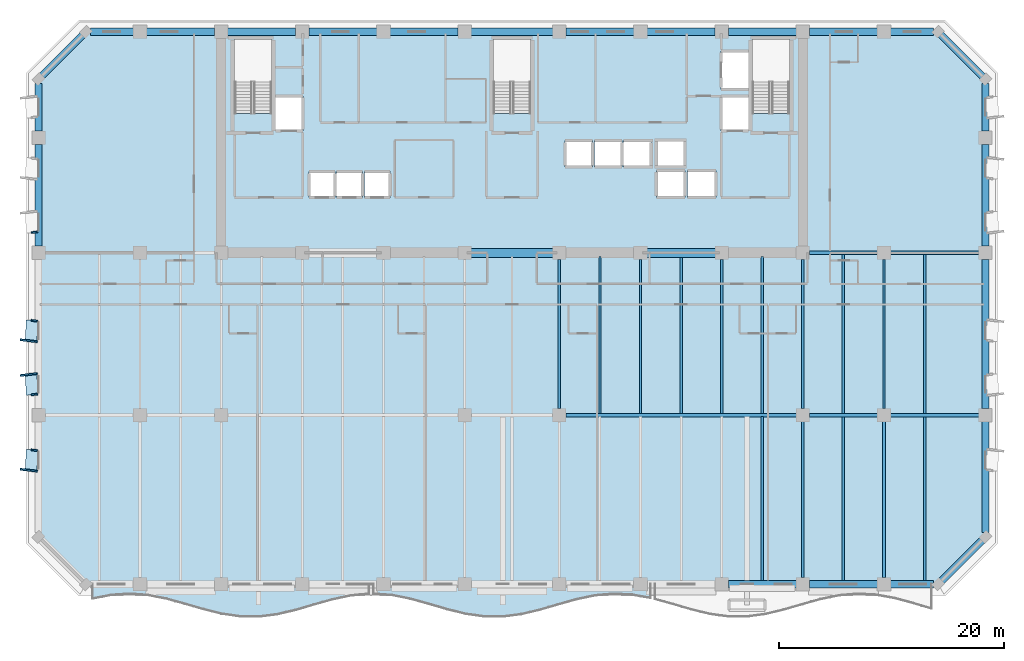
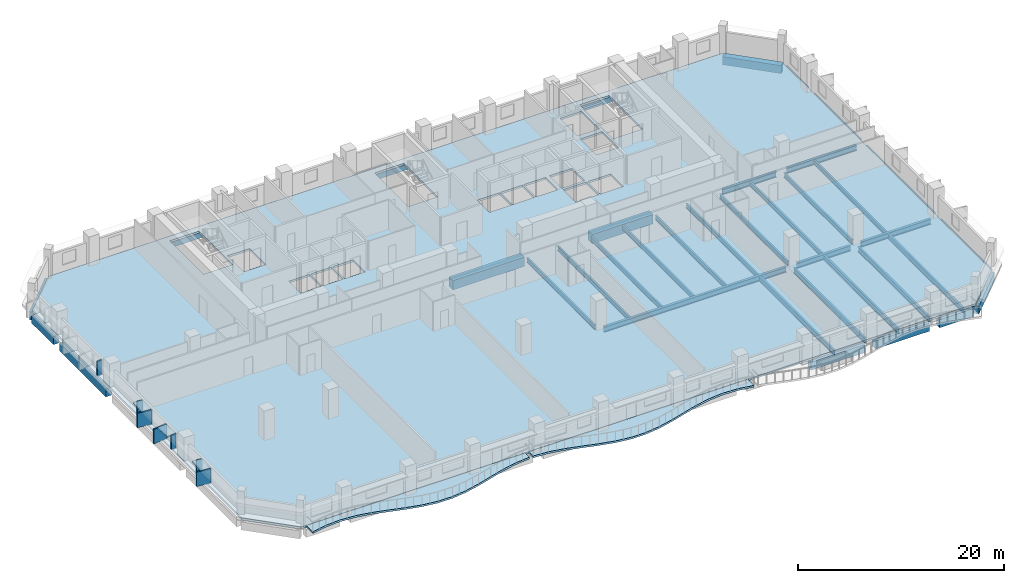
# One storey, part 2 of 14: 45 beams, 10 plates, 3 slabs.
"""IFC4 building model written with IfcOpenShell, lengths in metres."""

from ifc_helpers import new_model, si_unit, direction, frame, origin, origin_2d, place, context, subcontext, project, spatial, polyline, rectangle, i_section, outline, extrude, material, layer, layer_set, material_profile, profile_set, type_object, element, save


model = new_model("IFC4")

# Units and contexts
model_context = context("Model", 3, precision=1e-05, world=origin(), true_north=direction((0.0, 1.0)))
body_context = subcontext(model_context, "Body", "Model", "MODEL_VIEW")
ifc_project = project(units=[si_unit("LENGTHUNIT", "METRE"), si_unit("AREAUNIT", "SQUARE_METRE"), si_unit("VOLUMEUNIT", "CUBIC_METRE"), si_unit("PLANEANGLEUNIT", "RADIAN"), si_unit("MASSUNIT", "GRAM", prefix="KILO")], contexts=[model_context])

# Site, building, storey
site_placement = place(None, origin())
site = spatial("IfcSite", under=ifc_project, at=site_placement, CompositionType="ELEMENT")
building_placement = place(site_placement, origin())
building = spatial("IfcBuilding", under=site, at=building_placement, Name="Kaelvorn Grand Hotel", CompositionType="ELEMENT")
storey_placement = place(building_placement, frame((0.0, 0.0, 126.800048828125)))
storey = spatial("IfcBuildingStorey", under=building, at=storey_placement, Name="L30", CompositionType="ELEMENT", Elevation=126.800048828125)

# Beams
ifc_material_1 = material(Name="Steel S355", Category="steel")
ifc_material_profile_1 = material_profile(ifc_material_1, i_section(OverallWidth=0.300048828125, OverallDepth=0.64990234375, WebThickness=0.01611328125, FlangeThickness=0.031005859375, FilletRadius=0.027099609375, at=origin_2d()), Name="HEB 650")
ifc_profile_set_1 = profile_set([ifc_material_profile_1], Name="Steel S355")
beam_type_1 = type_object("IfcBeamType", Name="BM-G-HEB650-S355", PredefinedType="BEAM", material=ifc_profile_set_1)
beam_1_placement = place(storey_placement, frame((46.784912109375, 15.0, -0.56494140625), z_axis=(1.0, 0.0, 0.0), x_axis=(0.0, 1.0, 0.0)))
element("IfcBeam", 1, at=beam_1_placement, inside=storey, type_object=beam_type_1, Name="L30 Primary Spine Steel Girder G-15 05", PredefinedType="BEAM", context=body_context, shape_type="SweptSolid", body=[
    extrude(i_section(OverallWidth=0.300048828125, OverallDepth=0.64990234375, WebThickness=0.01611328125, FlangeThickness=0.031005859375, FilletRadius=0.027099609375, at=origin_2d()), origin(), (0.0, 0.0, 1.0), 20.43017578125),
])
beam_2_placement = place(storey_placement, frame((68.385009765625, 15.0, -0.56494140625), z_axis=(1.0, 0.0, 0.0), x_axis=(0.0, 1.0, 0.0)))
element("IfcBeam", 2, at=beam_2_placement, inside=storey, type_object=beam_type_1, Name="L30 Primary Spine Steel Girder G-15 06", PredefinedType="BEAM", context=body_context, shape_type="SweptSolid", body=[
    extrude(i_section(OverallWidth=0.300048828125, OverallDepth=0.64990234375, WebThickness=0.01611328125, FlangeThickness=0.031005859375, FilletRadius=0.027099609375, at=origin_2d()), origin(), (0.0, 0.0, 1.0), 6.030029296875),
])
beam_3_placement = place(storey_placement, frame((75.5849609375, 15.0, -0.56494140625), z_axis=(1.0, 0.0, 0.0), x_axis=(0.0, 1.0, 0.0)))
element("IfcBeam", 3, at=beam_3_placement, inside=storey, type_object=beam_type_1, Name="L30 Primary Spine Steel Girder G-15 07", PredefinedType="BEAM", context=body_context, shape_type="SweptSolid", body=[
    extrude(i_section(OverallWidth=0.300048828125, OverallDepth=0.64990234375, WebThickness=0.01611328125, FlangeThickness=0.031005859375, FilletRadius=0.027099609375, at=origin_2d()), origin(), (0.0, 0.0, 1.0), 7.830078125),
])
beam_4_placement = place(storey_placement, frame((68.385009765625, 29.39990234375, -0.56494140625), z_axis=(1.0, 0.0, 0.0), x_axis=(0.0, 1.0, 0.0)))
element("IfcBeam", 4, at=beam_4_placement, inside=storey, type_object=beam_type_1, Name="L30 East Core Wing Steel Girder G-29E 01", PredefinedType="BEAM", context=body_context, shape_type="SweptSolid", body=[
    extrude(i_section(OverallWidth=0.300048828125, OverallDepth=0.64990234375, WebThickness=0.01611328125, FlangeThickness=0.031005859375, FilletRadius=0.027099609375, at=origin_2d()), origin(), (0.0, 0.0, 1.0), 6.030029296875),
])
beam_5_placement = place(storey_placement, frame((75.5849609375, 29.39990234375, -0.56494140625), z_axis=(1.0, 0.0, 0.0), x_axis=(0.0, 1.0, 0.0)))
element("IfcBeam", 5, at=beam_5_placement, inside=storey, type_object=beam_type_1, Name="L30 East Core Wing Steel Girder G-29E 02", PredefinedType="BEAM", context=body_context, shape_type="SweptSolid", body=[
    extrude(i_section(OverallWidth=0.300048828125, OverallDepth=0.64990234375, WebThickness=0.01611328125, FlangeThickness=0.031005859375, FilletRadius=0.027099609375, at=origin_2d()), origin(), (0.0, 0.0, 1.0), 7.830078125),
])
ifc_material_profile_2 = material_profile(ifc_material_1, i_section(OverallWidth=0.209228515625, OverallDepth=0.533203125, WebThickness=0.010009765625, FlangeThickness=0.015625, FilletRadius=0.0126953125, at=origin_2d()), Name="UB 533x210x92")
ifc_profile_set_2 = profile_set([ifc_material_profile_2], Name="Steel S355")
beam_type_2 = type_object("IfcBeamType", Name="BM-J-UB533-S355", PredefinedType="JOIST", material=ifc_profile_set_2)
beam_6_placement = place(storey_placement, frame((46.199951171875, 15.5849609375, -0.506591796875), z_axis=(0.0, 1.0, 0.0), x_axis=(-1.0, 0.0, 0.0)))
element("IfcBeam", 6, at=beam_6_placement, inside=storey, type_object=beam_type_2, Name="L30 Composite Floor Joist JM-13", PredefinedType="JOIST", context=body_context, shape_type="SweptSolid", body=[
    extrude(i_section(OverallWidth=0.209228515625, OverallDepth=0.533203125, WebThickness=0.010009765625, FlangeThickness=0.015625, FilletRadius=0.0126953125, at=origin_2d()), origin(), (0.0, 0.0, 1.0), 13.22998046875),
])
beam_7_placement = place(storey_placement, frame((49.800048828125, 15.135009765625, -0.506591796875), z_axis=(0.0, 1.0, 0.0), x_axis=(-1.0, 0.0, 0.0)))
element("IfcBeam", 7, at=beam_7_placement, inside=storey, type_object=beam_type_2, Name="L30 Composite Floor Joist JM-14", PredefinedType="JOIST", context=body_context, shape_type="SweptSolid", body=[
    extrude(i_section(OverallWidth=0.209228515625, OverallDepth=0.533203125, WebThickness=0.010009765625, FlangeThickness=0.015625, FilletRadius=0.0126953125, at=origin_2d()), origin(), (0.0, 0.0, 1.0), 13.925048828125),
])
beam_8_placement = place(storey_placement, frame((53.39990234375, 15.135009765625, -0.506591796875), z_axis=(0.0, 1.0, 0.0), x_axis=(-1.0, 0.0, 0.0)))
element("IfcBeam", 8, at=beam_8_placement, inside=storey, type_object=beam_type_2, Name="L30 Composite Floor Joist JM-15", PredefinedType="JOIST", context=body_context, shape_type="SweptSolid", body=[
    extrude(i_section(OverallWidth=0.209228515625, OverallDepth=0.533203125, WebThickness=0.010009765625, FlangeThickness=0.015625, FilletRadius=0.0126953125, at=origin_2d()), origin(), (0.0, 0.0, 1.0), 13.679931640625),
])
beam_9_placement = place(storey_placement, frame((57.0, 15.135009765625, -0.506591796875), z_axis=(0.0, 1.0, 0.0), x_axis=(-1.0, 0.0, 0.0)))
element("IfcBeam", 9, at=beam_9_placement, inside=storey, type_object=beam_type_2, Name="L30 Composite Floor Joist JM-16", PredefinedType="JOIST", context=body_context, shape_type="SweptSolid", body=[
    extrude(i_section(OverallWidth=0.209228515625, OverallDepth=0.533203125, WebThickness=0.010009765625, FlangeThickness=0.015625, FilletRadius=0.0126953125, at=origin_2d()), origin(), (0.0, 0.0, 1.0), 13.925048828125),
])
beam_10_placement = place(storey_placement, frame((60.60009765625, 15.135009765625, -0.506591796875), z_axis=(0.0, 1.0, 0.0), x_axis=(-1.0, 0.0, 0.0)))
element("IfcBeam", 10, at=beam_10_placement, inside=storey, type_object=beam_type_2, Name="L30 Composite Floor Joist JM-17", PredefinedType="JOIST", context=body_context, shape_type="SweptSolid", body=[
    extrude(i_section(OverallWidth=0.209228515625, OverallDepth=0.533203125, WebThickness=0.010009765625, FlangeThickness=0.015625, FilletRadius=0.0126953125, at=origin_2d()), origin(), (0.0, 0.0, 1.0), 13.679931640625),
])
beam_11_placement = place(storey_placement, frame((64.199951171875, 15.135009765625, -0.506591796875), z_axis=(0.0, 1.0, 0.0), x_axis=(-1.0, 0.0, 0.0)))
element("IfcBeam", 11, at=beam_11_placement, inside=storey, type_object=beam_type_2, Name="L30 Composite Floor Joist JM-18", PredefinedType="JOIST", context=body_context, shape_type="SweptSolid", body=[
    extrude(i_section(OverallWidth=0.209228515625, OverallDepth=0.533203125, WebThickness=0.010009765625, FlangeThickness=0.015625, FilletRadius=0.0126953125, at=origin_2d()), origin(), (0.0, 0.0, 1.0), 13.925048828125),
])
beam_12_placement = place(storey_placement, frame((67.800048828125, 15.5849609375, -0.506591796875), z_axis=(0.0, 1.0, 0.0), x_axis=(-1.0, 0.0, 0.0)))
element("IfcBeam", 12, at=beam_12_placement, inside=storey, type_object=beam_type_2, Name="L30 Composite Floor Joist JM-19", PredefinedType="JOIST", context=body_context, shape_type="SweptSolid", body=[
    extrude(i_section(OverallWidth=0.209228515625, OverallDepth=0.533203125, WebThickness=0.010009765625, FlangeThickness=0.015625, FilletRadius=0.0126953125, at=origin_2d()), origin(), (0.0, 0.0, 1.0), 13.22998046875),
])
beam_13_placement = place(storey_placement, frame((71.39990234375, 15.135009765625, -0.506591796875), z_axis=(0.0, 1.0, 0.0), x_axis=(-1.0, 0.0, 0.0)))
element("IfcBeam", 13, at=beam_13_placement, inside=storey, type_object=beam_type_2, Name="L30 Composite Floor Joist JM-20", PredefinedType="JOIST", context=body_context, shape_type="SweptSolid", body=[
    extrude(i_section(OverallWidth=0.209228515625, OverallDepth=0.533203125, WebThickness=0.010009765625, FlangeThickness=0.015625, FilletRadius=0.0126953125, at=origin_2d()), origin(), (0.0, 0.0, 1.0), 14.1298828125),
])
beam_14_placement = place(storey_placement, frame((75.0, 15.5849609375, -0.506591796875), z_axis=(0.0, 1.0, 0.0), x_axis=(-1.0, 0.0, 0.0)))
element("IfcBeam", 14, at=beam_14_placement, inside=storey, type_object=beam_type_2, Name="L30 Composite Floor Joist JM-21", PredefinedType="JOIST", context=body_context, shape_type="SweptSolid", body=[
    extrude(i_section(OverallWidth=0.209228515625, OverallDepth=0.533203125, WebThickness=0.010009765625, FlangeThickness=0.015625, FilletRadius=0.0126953125, at=origin_2d()), origin(), (0.0, 0.0, 1.0), 13.22998046875),
])
beam_15_placement = place(storey_placement, frame((78.60009765625, 15.135009765625, -0.506591796875), z_axis=(0.0, 1.0, 0.0), x_axis=(-1.0, 0.0, 0.0)))
element("IfcBeam", 15, at=beam_15_placement, inside=storey, type_object=beam_type_2, Name="L30 Composite Floor Joist JM-22", PredefinedType="JOIST", context=body_context, shape_type="SweptSolid", body=[
    extrude(i_section(OverallWidth=0.209228515625, OverallDepth=0.533203125, WebThickness=0.010009765625, FlangeThickness=0.015625, FilletRadius=0.0126953125, at=origin_2d()), origin(), (0.0, 0.0, 1.0), 14.1298828125),
])
ifc_material_profile_3 = material_profile(ifc_material_1, i_section(OverallWidth=0.22900390625, OverallDepth=0.6123046875, WebThickness=0.011962890625, FlangeThickness=0.01953125, FilletRadius=0.0126953125, at=origin_2d()), Name="UB 610x229x125")
ifc_profile_set_3 = profile_set([ifc_material_profile_3], Name="Steel S355")
beam_type_3 = type_object("IfcBeamType", Name="BM-J-UB610-S355", PredefinedType="JOIST", material=ifc_profile_set_3)
beam_16_placement = place(storey_placement, frame((64.199951171875, 0.31005859375, -0.546142578125), z_axis=(0.0, 1.0, 0.0), x_axis=(-1.0, 0.0, 0.0)))
element("IfcBeam", 16, at=beam_16_placement, inside=storey, type_object=beam_type_3, Name="L30 Composite Floor Joist JS-18", PredefinedType="JOIST", context=body_context, shape_type="SweptSolid", body=[
    extrude(i_section(OverallWidth=0.22900390625, OverallDepth=0.6123046875, WebThickness=0.011962890625, FlangeThickness=0.01953125, FilletRadius=0.0126953125, at=origin_2d()), origin(), (0.0, 0.0, 1.0), 14.554931640625),
])
beam_17_placement = place(storey_placement, frame((67.800048828125, 0.5849609375, -0.546142578125), z_axis=(0.0, 1.0, 0.0), x_axis=(-1.0, 0.0, 0.0)))
element("IfcBeam", 17, at=beam_17_placement, inside=storey, type_object=beam_type_3, Name="L30 Composite Floor Joist JS-19", PredefinedType="JOIST", context=body_context, shape_type="SweptSolid", body=[
    extrude(i_section(OverallWidth=0.22900390625, OverallDepth=0.6123046875, WebThickness=0.011962890625, FlangeThickness=0.01953125, FilletRadius=0.0126953125, at=origin_2d()), origin(), (0.0, 0.0, 1.0), 13.830078125),
])
beam_18_placement = place(storey_placement, frame((71.39990234375, 0.31005859375, -0.546142578125), z_axis=(0.0, 1.0, 0.0), x_axis=(-1.0, 0.0, 0.0)))
element("IfcBeam", 18, at=beam_18_placement, inside=storey, type_object=beam_type_3, Name="L30 Composite Floor Joist JS-20", PredefinedType="JOIST", context=body_context, shape_type="SweptSolid", body=[
    extrude(i_section(OverallWidth=0.22900390625, OverallDepth=0.6123046875, WebThickness=0.011962890625, FlangeThickness=0.01953125, FilletRadius=0.0126953125, at=origin_2d()), origin(), (0.0, 0.0, 1.0), 14.554931640625),
])
beam_19_placement = place(storey_placement, frame((75.0, 0.5849609375, -0.546142578125), z_axis=(0.0, 1.0, 0.0), x_axis=(-1.0, 0.0, 0.0)))
element("IfcBeam", 19, at=beam_19_placement, inside=storey, type_object=beam_type_3, Name="L30 Composite Floor Joist JS-21", PredefinedType="JOIST", context=body_context, shape_type="SweptSolid", body=[
    extrude(i_section(OverallWidth=0.22900390625, OverallDepth=0.6123046875, WebThickness=0.011962890625, FlangeThickness=0.01953125, FilletRadius=0.0126953125, at=origin_2d()), origin(), (0.0, 0.0, 1.0), 13.830078125),
])
beam_20_placement = place(storey_placement, frame((78.60009765625, 0.31005859375, -0.546142578125), z_axis=(0.0, 1.0, 0.0), x_axis=(-1.0, 0.0, 0.0)))
element("IfcBeam", 20, at=beam_20_placement, inside=storey, type_object=beam_type_3, Name="L30 Composite Floor Joist JS-22", PredefinedType="JOIST", context=body_context, shape_type="SweptSolid", body=[
    extrude(i_section(OverallWidth=0.22900390625, OverallDepth=0.6123046875, WebThickness=0.011962890625, FlangeThickness=0.01953125, FilletRadius=0.0126953125, at=origin_2d()), origin(), (0.0, 0.0, 1.0), 14.554931640625),
])
ifc_material_2 = material(Name="Concrete C60/75", Category="concrete")
ifc_material_profile_4 = material_profile(ifc_material_2, rectangle(XDim=0.800048828125, YDim=1.10009765625, at=origin_2d()), Name="RC LINTEL 800x1100")
ifc_profile_set_4 = profile_set([ifc_material_profile_4], Name="Concrete C60/75")
beam_type_4 = type_object("IfcBeamType", Name="BM-LIN-800x1100-C60", PredefinedType="LINTEL", material=ifc_profile_set_4)
beam_21_placement = place(storey_placement, frame((37.97998046875, 29.39990234375, -0.7900390625), z_axis=(1.0, 0.0, 0.0), x_axis=(0.0, 1.0, 0.0)))
element("IfcBeam", 21, at=beam_21_placement, inside=storey, type_object=beam_type_4, Name="L30 Rear-Core Coupling Lintel Beam CB1-02", PredefinedType="LINTEL", context=body_context, shape_type="SweptSolid", body=[
    extrude(rectangle(XDim=0.800048828125, YDim=1.10009765625, at=origin_2d()), origin(), (0.0, 0.0, 1.0), 8.0400390625),
])
beam_22_placement = place(storey_placement, frame((53.580078125, 29.39990234375, -0.7900390625), z_axis=(1.0, 0.0, 0.0), x_axis=(0.0, 1.0, 0.0)))
element("IfcBeam", 22, at=beam_22_placement, inside=storey, type_object=beam_type_4, Name="L30 Rear-Core Coupling Lintel Beam CB1-03", PredefinedType="LINTEL", context=body_context, shape_type="SweptSolid", body=[
    extrude(rectangle(XDim=0.800048828125, YDim=1.10009765625, at=origin_2d()), origin(), (0.0, 0.0, 1.0), 6.83984375),
])
ifc_material_profile_5 = material_profile(ifc_material_2, rectangle(XDim=0.64990234375, YDim=0.949951171875, at=origin_2d()), Name="RC SPANDREL 650x950")
ifc_profile_set_5 = profile_set([ifc_material_profile_5], Name="Concrete C60/75")
beam_type_5 = type_object("IfcBeamType", Name="BM-SP-650x950-C60", PredefinedType="SPANDREL", material=ifc_profile_set_5)
for number, where, z_axis, x_axis, name in (
    (23, (61.18505859375, 0.0, -0.715087890625), (1.0, 0.0, 0.0), (0.0, 1.0, 0.0), "L30 South Perimeter Spandrel 09"),
    (24, (68.385009765625, 0.0, -0.715087890625), (1.0, 0.0, 0.0), (0.0, 1.0, 0.0), "L30 South Perimeter Spandrel 10"),
):
    element("IfcBeam", number, at=place(storey_placement, frame(where, z_axis=z_axis, x_axis=x_axis)), inside=storey, type_object=beam_type_5, Name=name, PredefinedType="SPANDREL", context=body_context, shape_type="SweptSolid", body=[
        extrude(rectangle(XDim=0.64990234375, YDim=0.949951171875, at=origin_2d()), origin(), (0.0, 0.0, 1.0), 6.030029296875),
    ])
for number, where, z_axis, x_axis, name in (
    (25, (75.5849609375, 0.0, -0.715087890625), (1.0, 0.0, 0.0), (0.0, 1.0, 0.0), "L30 South Perimeter Spandrel 11"),
    (26, (4.60498046875, 49.0, -0.715087890625), (1.0, 0.0, 0.0), (0.0, 1.0, 0.0), "L30 North Perimeter Spandrel 01"),
):
    element("IfcBeam", number, at=place(storey_placement, frame(where, z_axis=z_axis, x_axis=x_axis)), inside=storey, type_object=beam_type_5, Name=name, PredefinedType="SPANDREL", context=body_context, shape_type="SweptSolid", body=[
        extrude(rectangle(XDim=0.64990234375, YDim=0.949951171875, at=origin_2d()), origin(), (0.0, 0.0, 1.0), 3.81005859375),
    ])
for number, where, z_axis, x_axis, name in (
    (27, (9.5849609375, 49.0, -0.715087890625), (1.0, 0.0, 0.0), (0.0, 1.0, 0.0), "L30 North Perimeter Spandrel 02"),
    (28, (16.784912109375, 49.0, -0.715087890625), (1.0, 0.0, 0.0), (0.0, 1.0, 0.0), "L30 North Perimeter Spandrel 03"),
):
    element("IfcBeam", number, at=place(storey_placement, frame(where, z_axis=z_axis, x_axis=x_axis)), inside=storey, type_object=beam_type_5, Name=name, PredefinedType="SPANDREL", context=body_context, shape_type="SweptSolid", body=[
        extrude(rectangle(XDim=0.64990234375, YDim=0.949951171875, at=origin_2d()), origin(), (0.0, 0.0, 1.0), 6.030029296875),
    ])
beam_23_placement = place(storey_placement, frame((23.985107421875, 49.0, -0.715087890625), z_axis=(1.0, 0.0, 0.0), x_axis=(0.0, 1.0, 0.0)))
element("IfcBeam", 29, at=beam_23_placement, inside=storey, type_object=beam_type_5, Name="L30 North Perimeter Spandrel 04", PredefinedType="SPANDREL", context=body_context, shape_type="SweptSolid", body=[
    extrude(rectangle(XDim=0.64990234375, YDim=0.949951171875, at=origin_2d()), origin(), (0.0, 0.0, 1.0), 6.02978515625),
])
beam_24_placement = place(storey_placement, frame((31.18505859375, 49.0, -0.715087890625), z_axis=(1.0, 0.0, 0.0), x_axis=(0.0, 1.0, 0.0)))
element("IfcBeam", 30, at=beam_24_placement, inside=storey, type_object=beam_type_5, Name="L30 North Perimeter Spandrel 05", PredefinedType="SPANDREL", context=body_context, shape_type="SweptSolid", body=[
    extrude(rectangle(XDim=0.64990234375, YDim=0.949951171875, at=origin_2d()), origin(), (0.0, 0.0, 1.0), 6.030029296875),
])
beam_25_placement = place(storey_placement, frame((38.385009765625, 49.0, -0.715087890625), z_axis=(1.0, 0.0, 0.0), x_axis=(0.0, 1.0, 0.0)))
element("IfcBeam", 31, at=beam_25_placement, inside=storey, type_object=beam_type_5, Name="L30 North Perimeter Spandrel 06", PredefinedType="SPANDREL", context=body_context, shape_type="SweptSolid", body=[
    extrude(rectangle(XDim=0.64990234375, YDim=0.949951171875, at=origin_2d()), origin(), (0.0, 0.0, 1.0), 7.22998046875),
])
beam_26_placement = place(storey_placement, frame((46.784912109375, 49.0, -0.715087890625), z_axis=(1.0, 0.0, 0.0), x_axis=(0.0, 1.0, 0.0)))
element("IfcBeam", 32, at=beam_26_placement, inside=storey, type_object=beam_type_5, Name="L30 North Perimeter Spandrel 07", PredefinedType="SPANDREL", context=body_context, shape_type="SweptSolid", body=[
    extrude(rectangle(XDim=0.64990234375, YDim=0.949951171875, at=origin_2d()), origin(), (0.0, 0.0, 1.0), 6.030029296875),
])
beam_27_placement = place(storey_placement, frame((53.985107421875, 49.0, -0.715087890625), z_axis=(1.0, 0.0, 0.0), x_axis=(0.0, 1.0, 0.0)))
element("IfcBeam", 33, at=beam_27_placement, inside=storey, type_object=beam_type_5, Name="L30 North Perimeter Spandrel 08", PredefinedType="SPANDREL", context=body_context, shape_type="SweptSolid", body=[
    extrude(rectangle(XDim=0.64990234375, YDim=0.949951171875, at=origin_2d()), origin(), (0.0, 0.0, 1.0), 6.02978515625),
])
for number, where, z_axis, x_axis, name in (
    (34, (61.18505859375, 49.0, -0.715087890625), (1.0, 0.0, 0.0), (0.0, 1.0, 0.0), "L30 North Perimeter Spandrel 09"),
    (35, (68.385009765625, 49.0, -0.715087890625), (1.0, 0.0, 0.0), (0.0, 1.0, 0.0), "L30 North Perimeter Spandrel 10"),
):
    element("IfcBeam", number, at=place(storey_placement, frame(where, z_axis=z_axis, x_axis=x_axis)), inside=storey, type_object=beam_type_5, Name=name, PredefinedType="SPANDREL", context=body_context, shape_type="SweptSolid", body=[
        extrude(rectangle(XDim=0.64990234375, YDim=0.949951171875, at=origin_2d()), origin(), (0.0, 0.0, 1.0), 6.030029296875),
    ])
beam_28_placement = place(storey_placement, frame((75.5849609375, 49.0, -0.715087890625), z_axis=(1.0, 0.0, 0.0), x_axis=(0.0, 1.0, 0.0)))
element("IfcBeam", 36, at=beam_28_placement, inside=storey, type_object=beam_type_5, Name="L30 North Perimeter Spandrel 11", PredefinedType="SPANDREL", context=body_context, shape_type="SweptSolid", body=[
    extrude(rectangle(XDim=0.64990234375, YDim=0.949951171875, at=origin_2d()), origin(), (0.0, 0.0, 1.0), 3.81005859375),
])
beam_29_placement = place(storey_placement, frame((0.0, 29.985107421875, -0.715087890625), z_axis=(0.0, 1.0, 0.0), x_axis=(-1.0, 0.0, 0.0)))
element("IfcBeam", 37, at=beam_29_placement, inside=storey, type_object=beam_type_5, Name="L30 West Perimeter Spandrel 03", PredefinedType="SPANDREL", context=body_context, shape_type="SweptSolid", body=[
    extrude(rectangle(XDim=0.64990234375, YDim=0.949951171875, at=origin_2d()), origin(), (0.0, 0.0, 1.0), 9.02978515625),
])
beam_30_placement = place(storey_placement, frame((0.0, 40.18505859375, -0.715087890625), z_axis=(0.0, 1.0, 0.0), x_axis=(-1.0, 0.0, 0.0)))
element("IfcBeam", 38, at=beam_30_placement, inside=storey, type_object=beam_type_5, Name="L30 West Perimeter Spandrel 04", PredefinedType="SPANDREL", context=body_context, shape_type="SweptSolid", body=[
    extrude(rectangle(XDim=0.64990234375, YDim=0.949951171875, at=origin_2d()), origin(), (0.0, 0.0, 1.0), 4.2099609375),
])
beam_31_placement = place(storey_placement, frame((84.0, 4.60498046875, -0.715087890625), z_axis=(0.0, 1.0, 0.0), x_axis=(-1.0, 0.0, 0.0)))
element("IfcBeam", 39, at=beam_31_placement, inside=storey, type_object=beam_type_5, Name="L30 East Perimeter Spandrel 01", PredefinedType="SPANDREL", context=body_context, shape_type="SweptSolid", body=[
    extrude(rectangle(XDim=0.64990234375, YDim=0.949951171875, at=origin_2d()), origin(), (0.0, 0.0, 1.0), 9.81005859375),
])
beam_32_placement = place(storey_placement, frame((84.0, 15.5849609375, -0.715087890625), z_axis=(0.0, 1.0, 0.0), x_axis=(-1.0, 0.0, 0.0)))
element("IfcBeam", 40, at=beam_32_placement, inside=storey, type_object=beam_type_5, Name="L30 East Perimeter Spandrel 02", PredefinedType="SPANDREL", context=body_context, shape_type="SweptSolid", body=[
    extrude(rectangle(XDim=0.64990234375, YDim=0.949951171875, at=origin_2d()), origin(), (0.0, 0.0, 1.0), 13.22998046875),
])
beam_33_placement = place(storey_placement, frame((84.0, 29.985107421875, -0.715087890625), z_axis=(0.0, 1.0, 0.0), x_axis=(-1.0, 0.0, 0.0)))
element("IfcBeam", 41, at=beam_33_placement, inside=storey, type_object=beam_type_5, Name="L30 East Perimeter Spandrel 03", PredefinedType="SPANDREL", context=body_context, shape_type="SweptSolid", body=[
    extrude(rectangle(XDim=0.64990234375, YDim=0.949951171875, at=origin_2d()), origin(), (0.0, 0.0, 1.0), 9.02978515625),
])
beam_34_placement = place(storey_placement, frame((84.0, 40.18505859375, -0.715087890625), z_axis=(0.0, 1.0, 0.0), x_axis=(-1.0, 0.0, 0.0)))
element("IfcBeam", 42, at=beam_34_placement, inside=storey, type_object=beam_type_5, Name="L30 East Perimeter Spandrel 04", PredefinedType="SPANDREL", context=body_context, shape_type="SweptSolid", body=[
    extrude(rectangle(XDim=0.64990234375, YDim=0.949951171875, at=origin_2d()), origin(), (0.0, 0.0, 1.0), 4.2099609375),
])
for number, where, z_axis, x_axis, name in (
    (43, (79.800048828125, 0.0, -0.715087890625), (0.707106781187, 0.707106781187, 0.0), (-0.707106781187, 0.707106781187, 0.0), "L30 Chamfer Spandrel Beam 1"),
    (44, (84.0, 44.800048828125, -0.715087890625), (-0.707106781187, 0.707106781187, 0.0), (-0.707106781187, -0.707106781187, 0.0), "L30 Chamfer Spandrel Beam 2"),
    (45, (4.199951171875, 49.0, -0.715087890625), (-0.707106781187, -0.707106781187, 0.0), (0.707106781187, -0.707106781187, 0.0), "L30 Chamfer Spandrel Beam 3"),
):
    element("IfcBeam", number, at=place(storey_placement, frame(where, z_axis=z_axis, x_axis=x_axis)), inside=storey, type_object=beam_type_5, Name=name, PredefinedType="SPANDREL", context=body_context, shape_type="SweptSolid", body=[
        extrude(rectangle(XDim=0.64990234375, YDim=0.949951171875, at=origin_2d()), origin(), (0.0, 0.0, 1.0), 5.939697265625),
    ])

# Plates
ifc_material_3 = material(Name="Precast concrete C45/55", Category="concrete")
ifc_layer_1 = layer(ifc_material_3, 0.159912109375)
ifc_layer_set_1 = layer_set([ifc_layer_1], Name="Precast concrete C45/55")
plate_type_1 = type_object("IfcPlateType", Name="PL-FRAME-DEEP-1550", PredefinedType="USERDEFINED", material=ifc_layer_set_1)
for number, where, z_axis, x_axis, name in (
    (46, (-0.864990234375, 10.110107421875, 0.68994140625), (0.0, 0.0, 1.0), (0.121869343405, 0.992546151641, 0.0), "L30 Tilted Precast Window Frame Fin L-W01"),
    (47, (-0.864990234375, 18.60498046875, 0.68994140625), (0.0, 0.0, 1.0), (-0.121869343405, 0.992546151641, 0.0), "L30 Tilted Precast Window Frame Fin R-W02"),
    (48, (-0.864990234375, 21.594970703125, 0.68994140625), (0.0, 0.0, 1.0), (0.121869343405, 0.992546151641, 0.0), "L30 Tilted Precast Window Frame Fin L-W03"),
):
    element("IfcPlate", number, at=place(storey_placement, frame(where, z_axis=z_axis, x_axis=x_axis)), inside=storey, type_object=plate_type_1, Name=name, ObjectType="FLANGE_PLATE", PredefinedType="USERDEFINED", context=body_context, shape_type="SweptSolid", body=[
        extrude(rectangle(XDim=0.159912109375, YDim=1.550048828125, at=origin_2d()), origin(), (0.0, 0.0, 1.0), 1.719970703125),
    ])
ifc_layer_2 = layer(ifc_material_3, 0.159912109375)
ifc_layer_set_2 = layer_set([ifc_layer_2], Name="Precast concrete C45/55")
plate_type_2 = type_object("IfcPlateType", Name="PL-FRAME-HEAD-1050", PredefinedType="USERDEFINED", material=ifc_layer_set_2)
for number, where, z_axis, x_axis, name in (
    (49, (-0.614990234375, 11.0, 2.25), (0.0, 0.0, 1.0), (0.054950179912, 0.998489097451, 0.0), "L30 Precast Window Frame Head Hood H-W01"),
    (50, (-0.614990234375, 17.715087890625, 2.25), (0.0, 0.0, 1.0), (-0.054950179912, 0.998489097451, 0.0), "L30 Precast Window Frame Head Hood H-W02"),
    (51, (-0.614990234375, 22.485107421875, 2.25), (0.0, 0.0, 1.0), (0.054950179912, 0.998489097451, 0.0), "L30 Precast Window Frame Head Hood H-W03"),
):
    element("IfcPlate", number, at=place(storey_placement, frame(where, z_axis=z_axis, x_axis=x_axis)), inside=storey, type_object=plate_type_2, Name=name, ObjectType="FLANGE_PLATE", PredefinedType="USERDEFINED", context=body_context, shape_type="SweptSolid", body=[
        extrude(rectangle(XDim=1.860107421875, YDim=1.050048828125, at=origin_2d()), origin(), (0.0, 0.0, 1.0), 0.159912109375),
    ])
ifc_layer_3 = layer(ifc_material_3, 0.159912109375)
ifc_layer_set_3 = layer_set([ifc_layer_3], Name="Precast concrete C45/55")
plate_type_3 = type_object("IfcPlateType", Name="PL-FRAME-SHAL-550", PredefinedType="USERDEFINED", material=ifc_layer_set_3)
for number, where, z_axis, x_axis, name in (
    (52, (-0.364990234375, 11.889892578125, 0.68994140625), (0.0, 0.0, 1.0), (0.121869343405, 0.992546151641, 0.0), "L30 Tilted Precast Window Frame Fin R-W01"),
    (53, (-0.364990234375, 16.824951171875, 0.68994140625), (0.0, 0.0, 1.0), (-0.121869343405, 0.992546151641, 0.0), "L30 Tilted Precast Window Frame Fin L-W02"),
    (54, (-0.364990234375, 23.375, 0.68994140625), (0.0, 0.0, 1.0), (0.121869343405, 0.992546151641, 0.0), "L30 Tilted Precast Window Frame Fin R-W03"),
    (55, (-0.364990234375, 31.22509765625, 0.68994140625), (0.0, 0.0, 1.0), (-0.121869343405, 0.992546151641, 0.0), "L30 Tilted Precast Window Frame Fin L-W04"),
):
    element("IfcPlate", number, at=place(storey_placement, frame(where, z_axis=z_axis, x_axis=x_axis)), inside=storey, type_object=plate_type_3, Name=name, ObjectType="FLANGE_PLATE", PredefinedType="USERDEFINED", context=body_context, shape_type="SweptSolid", body=[
        extrude(rectangle(XDim=0.159912109375, YDim=0.550048828125, at=origin_2d()), origin(), (0.0, 0.0, 1.0), 1.719970703125),
    ])

# Slabs
ifc_material_4 = material(Name="Concrete C40/50", Category="concrete")
ifc_layer_4 = layer(ifc_material_4, 0.219970703125)
ifc_layer_set_4 = layer_set([ifc_layer_4], Name="Concrete C40/50")
slab_type_1 = type_object("IfcSlabType", Name="SLB-BALC-220-C40", PredefinedType="FLOOR", material=ifc_layer_set_4)
slab_1_placement = place(storey_placement, frame((0.0, 0.0, -0.219970703125)))
element("IfcSlab", 56, at=slab_1_placement, inside=storey, type_object=slab_type_1, Name="L30 Scalloped Wave Balcony Slab 1", PredefinedType="FLOOR", context=body_context, shape_type="SweptSolid", body=[
    extrude(outline(polyline([(4.800048828125, -1.2724609375), (6.435546875, -0.959716796875), (8.071044921875, -0.85009765625), (9.706787109375, -0.968017578125), (11.34228515625, -1.28759765625), (12.977783203125, -1.737548828125), (14.61328125, -2.218017578125), (16.248779296875, -2.622314453125), (17.884521484375, -2.860595703125), (19.52001953125, -2.880126953125), (21.155517578125, -2.676025390625), (22.791015625, -2.29443359375), (24.4267578125, -1.8193359375), (26.062255859375, -1.356689453125), (27.69775390625, -1.00927734375), (29.333251953125, -0.85400390625), (29.333251953125, 0.0), (4.800048828125, 0.0), (4.800048828125, -1.2724609375)])), origin(), (0.0, 0.0, 1.0), 0.219970703125),
])
slab_2_placement = place(storey_placement, frame((0.0, 0.0, -0.219970703125)))
element("IfcSlab", 57, at=slab_2_placement, inside=storey, type_object=slab_type_1, Name="L30 Scalloped Wave Balcony Slab 2", PredefinedType="FLOOR", context=body_context, shape_type="SweptSolid", body=[
    extrude(outline(polyline([(29.7333984375, -0.850341796875), (31.368896484375, -0.976806640625), (33.00439453125, -1.302978515625), (34.639892578125, -1.756103515625), (36.275634765625, -2.235595703125), (37.9111328125, -2.635009765625), (39.546630859375, -2.865478515625), (41.18212890625, -2.876220703125), (42.81787109375, -2.66455078125), (44.453369140625, -2.27734375), (46.0888671875, -1.80078125), (47.724365234375, -1.3408203125), (49.360107421875, -0.99951171875), (50.99560546875, -0.8525390625), (52.631103515625, -0.932861328125), (54.2666015625, -1.22216796875), (54.2666015625, 0.0), (29.7333984375, 0.0), (29.7333984375, -0.850341796875)])), origin(), (0.0, 0.0, 1.0), 0.219970703125),
])
ifc_layer_5 = layer(ifc_material_4, 0.239990234375)
ifc_layer_set_5 = layer_set([ifc_layer_5], Name="Concrete C40/50")
slab_type_2 = type_object("IfcSlabType", Name="SLB-FLR-240-C40", PredefinedType="FLOOR", material=ifc_layer_set_5)
slab_3_placement = place(storey_placement, frame((0.0, 0.0, -0.239990234375)))
element("IfcSlab", 58, at=slab_3_placement, inside=storey, type_object=slab_type_2, Name="L30 Indoor Suspended Floor Slab", PredefinedType="FLOOR", context=body_context, shape_type="SweptSolid", body=[
    extrude(outline(polyline([(4.199951171875, 0.0), (79.800048828125, 0.0), (84.0, 4.199951171875), (84.0, 44.800048828125), (79.800048828125, 49.0), (4.199951171875, 49.0), (0.0, 44.800048828125), (0.0, 4.199951171875), (4.199951171875, 0.0)]), holes=[polyline([(17.39990234375, 41.760009765625), (17.39990234375, 48.300048828125), (20.679931640625, 48.300048828125), (20.679931640625, 41.760009765625), (17.39990234375, 41.760009765625)]), polyline([(40.360107421875, 41.760009765625), (40.360107421875, 48.300048828125), (43.639892578125, 48.300048828125), (43.639892578125, 41.760009765625), (40.360107421875, 41.760009765625)]), polyline([(63.320068359375, 41.760009765625), (63.320068359375, 48.300048828125), (66.60009765625, 48.300048828125), (66.60009765625, 41.760009765625), (63.320068359375, 41.760009765625)]), polyline([(24.0, 34.300048828125), (24.0, 36.60009765625), (26.300048828125, 36.60009765625), (26.300048828125, 34.300048828125), (24.0, 34.300048828125)]), polyline([(26.449951171875, 34.300048828125), (26.449951171875, 36.60009765625), (28.75, 36.60009765625), (28.75, 34.300048828125), (26.449951171875, 34.300048828125)]), polyline([(28.89990234375, 34.300048828125), (28.89990234375, 36.60009765625), (31.199951171875, 36.60009765625), (31.199951171875, 34.300048828125), (28.89990234375, 34.300048828125)]), polyline([(46.699951171875, 37.0), (46.699951171875, 39.35009765625), (49.14990234375, 39.35009765625), (49.14990234375, 37.0), (46.699951171875, 37.0)]), polyline([(49.300048828125, 37.0), (49.300048828125, 39.35009765625), (51.75, 39.35009765625), (51.75, 37.0), (49.300048828125, 37.0)]), polyline([(51.89990234375, 37.0), (51.89990234375, 39.35009765625), (54.35009765625, 39.35009765625), (54.35009765625, 37.0), (51.89990234375, 37.0)]), polyline([(54.800048828125, 34.300048828125), (54.800048828125, 36.699951171875), (57.35009765625, 36.699951171875), (57.35009765625, 34.300048828125), (54.800048828125, 34.300048828125)]), polyline([(57.550048828125, 34.300048828125), (57.550048828125, 36.699951171875), (60.10009765625, 36.699951171875), (60.10009765625, 34.300048828125), (57.550048828125, 34.300048828125)]), polyline([(54.800048828125, 37.0), (54.800048828125, 39.39990234375), (57.35009765625, 39.39990234375), (57.35009765625, 37.0), (54.800048828125, 37.0)]), polyline([(21.0, 40.199951171875), (21.0, 43.300048828125), (23.449951171875, 43.300048828125), (23.449951171875, 40.199951171875), (21.0, 40.199951171875)]), polyline([(60.550048828125, 40.199951171875), (60.550048828125, 43.300048828125), (63.0, 43.300048828125), (63.0, 40.199951171875), (60.550048828125, 40.199951171875)]), polyline([(60.550048828125, 43.89990234375), (60.550048828125, 47.300048828125), (63.0, 47.300048828125), (63.0, 43.89990234375), (60.550048828125, 43.89990234375)])]), origin(), (0.0, 0.0, 1.0), 0.239990234375),
])

save(model, "model.ifc")
